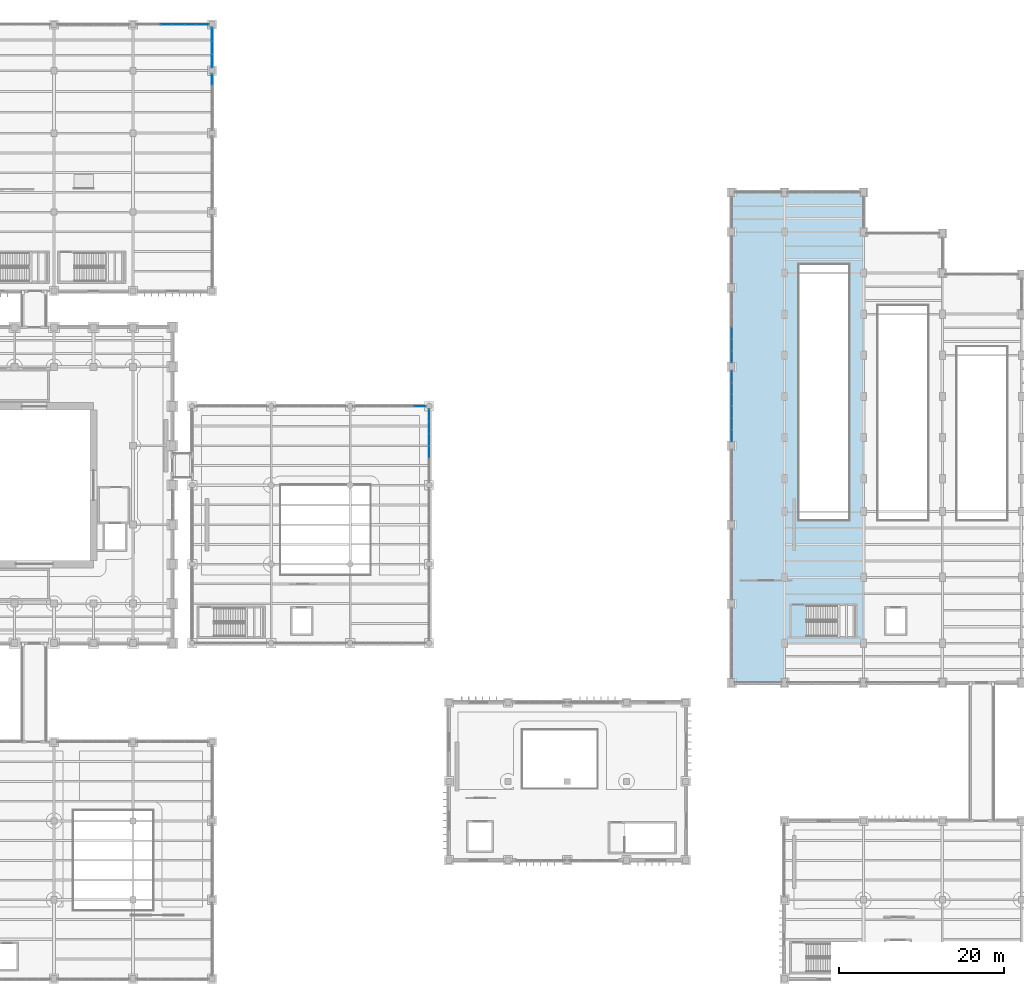
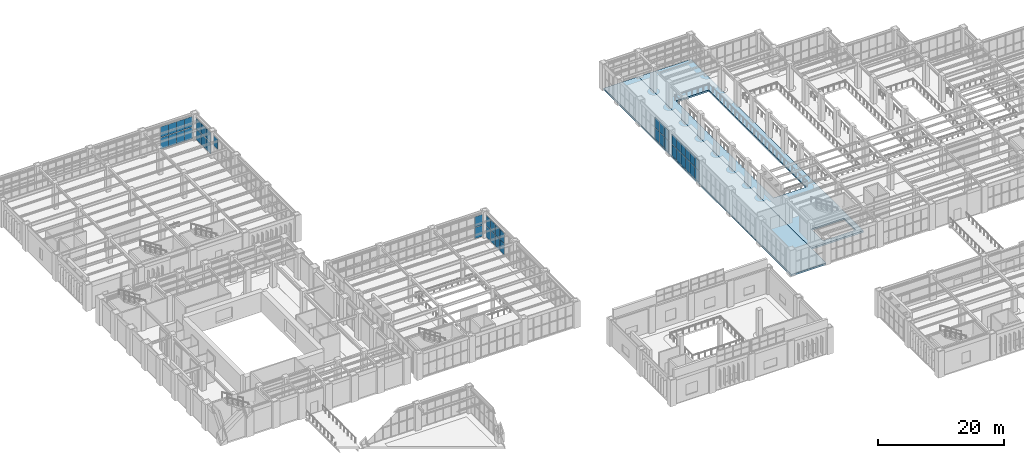
# One storey, part 133 of 174: 43 plates, 2 slabs, 7 elements without a shape of their own.
"""IFC4 building model written with IfcOpenShell, lengths in metres."""

from ifc_helpers import new_model, si_unit, direction, frame, origin, origin_2d, place, context, subcontext, project, spatial, polyline, rectangle, outline, extrude, material, layer, layer_set, type_object, element, aggregate, save


model = new_model("IFC4")

# Units and contexts
model_context = context("Model", 3, precision=1e-05, world=origin(), true_north=direction((0.0, 1.0)))
body_context = subcontext(model_context, "Body", "Model", "MODEL_VIEW")
ifc_project = project(units=[si_unit("LENGTHUNIT", "METRE"), si_unit("AREAUNIT", "SQUARE_METRE"), si_unit("VOLUMEUNIT", "CUBIC_METRE"), si_unit("PLANEANGLEUNIT", "RADIAN"), si_unit("MASSUNIT", "GRAM", prefix="KILO")], contexts=[model_context])

# Site, building, storey
site_placement = place(None, origin())
site = spatial("IfcSite", under=ifc_project, at=site_placement, CompositionType="ELEMENT")
building_placement = place(site_placement, origin())
building = spatial("IfcBuilding", under=site, at=building_placement, Name="Mavantir Sound Aquarium", CompositionType="ELEMENT")
storey_placement = place(building_placement, frame((0.0, 0.0, 5.39990234375)))
storey = spatial("IfcBuildingStorey", under=building, at=storey_placement, Name="L01", CompositionType="ELEMENT", Elevation=5.39990234375)

# Curtain wall, plates
ifc_material_1 = material(Name="Anodised Marine Aluminium and Low-E Glass", Category="aluminium")
curtain_wall_type_1 = type_object("IfcCurtainWallType", Name="CW-T09", PredefinedType="USERDEFINED", material=ifc_material_1)
curtain_wall_1_placement = place(storey_placement, origin())
curtain_wall_1 = element("IfcCurtainWall", 1, at=curtain_wall_1_placement, inside=storey, type_object=curtain_wall_type_1, Name="L01 unitised curtain wall CW-09 57", ObjectType="UNITISED GLAZING", PredefinedType="USERDEFINED")
ifc_material_2 = material(Name="Solar-Control Laminated Low-E Glass", Category="glass")
ifc_layer_1 = layer(ifc_material_2, 0.028076171875, Name="Solar-Control Laminated Low-E Glass")
ifc_layer_set_1 = layer_set([ifc_layer_1], Name="Solar-Control Laminated Low-E Glass")
plate_type_1 = type_object("IfcPlateType", Name="CW-PNL-28", PredefinedType="CURTAIN_PANEL", material=ifc_layer_set_1)
plate_1_placement = place(storey_placement, frame((64.800048828125, 64.063720703125, 0.10302734375), z_axis=(0.0, 0.0, 1.0), x_axis=(0.0, 1.0, 0.0)))
plate_1 = element("IfcPlate", 2, at=plate_1_placement, type_object=plate_type_1, Name="CW-L01-057 glazed curtain panel 3.1", PredefinedType="CURTAIN_PANEL", context=body_context, shape_type="SweptSolid", body=[
    extrude(rectangle(XDim=1.42431640625, YDim=0.028076171875, at=origin_2d()), origin(), (0.0, 0.0, 1.0), 2.13330078125),
])
plate_2_placement = place(storey_placement, frame((64.800048828125, 64.063720703125, 2.33251953125), z_axis=(0.0, 0.0, 1.0), x_axis=(0.0, 1.0, 0.0)))
plate_2 = element("IfcPlate", 3, at=plate_2_placement, type_object=plate_type_1, Name="CW-L01-057 glazed curtain panel 3.2", PredefinedType="CURTAIN_PANEL", context=body_context, shape_type="SweptSolid", body=[
    extrude(rectangle(XDim=1.42431640625, YDim=0.028076171875, at=origin_2d()), origin(), (0.0, 0.0, 1.0), 1.95751953125),
])
plate_3_placement = place(storey_placement, frame((64.800048828125, 65.5361328125, 0.10302734375), z_axis=(0.0, 0.0, 1.0), x_axis=(0.0, 1.0, 0.0)))
plate_3 = element("IfcPlate", 4, at=plate_3_placement, type_object=plate_type_1, Name="CW-L01-057 glazed curtain panel 4.1", PredefinedType="CURTAIN_PANEL", context=body_context, shape_type="SweptSolid", body=[
    extrude(rectangle(XDim=1.42431640625, YDim=0.028076171875, at=origin_2d()), origin(), (0.0, 0.0, 1.0), 2.13330078125),
])
plate_4_placement = place(storey_placement, frame((64.800048828125, 65.5361328125, 2.33251953125), z_axis=(0.0, 0.0, 1.0), x_axis=(0.0, 1.0, 0.0)))
plate_4 = element("IfcPlate", 5, at=plate_4_placement, type_object=plate_type_1, Name="CW-L01-057 glazed curtain panel 4.2", PredefinedType="CURTAIN_PANEL", context=body_context, shape_type="SweptSolid", body=[
    extrude(rectangle(XDim=1.42431640625, YDim=0.028076171875, at=origin_2d()), origin(), (0.0, 0.0, 1.0), 1.95751953125),
])
plate_5_placement = place(storey_placement, frame((64.800048828125, 67.008544921875, 0.10302734375), z_axis=(0.0, 0.0, 1.0), x_axis=(0.0, 1.0, 0.0)))
plate_5 = element("IfcPlate", 6, at=plate_5_placement, type_object=plate_type_1, Name="CW-L01-057 glazed curtain panel 5.1", PredefinedType="CURTAIN_PANEL", context=body_context, shape_type="SweptSolid", body=[
    extrude(rectangle(XDim=1.42431640625, YDim=0.028076171875, at=origin_2d()), origin(), (0.0, 0.0, 1.0), 2.13330078125),
])
plate_6_placement = place(storey_placement, frame((64.800048828125, 67.008544921875, 2.33251953125), z_axis=(0.0, 0.0, 1.0), x_axis=(0.0, 1.0, 0.0)))
plate_6 = element("IfcPlate", 7, at=plate_6_placement, type_object=plate_type_1, Name="CW-L01-057 glazed curtain panel 5.2", PredefinedType="CURTAIN_PANEL", context=body_context, shape_type="SweptSolid", body=[
    extrude(rectangle(XDim=1.42431640625, YDim=0.028076171875, at=origin_2d()), origin(), (0.0, 0.0, 1.0), 1.95751953125),
])
plate_7_placement = place(storey_placement, frame((64.800048828125, 68.480712890625, 0.10302734375), z_axis=(0.0, 0.0, 1.0), x_axis=(0.0, 1.0, 0.0)))
plate_7 = element("IfcPlate", 8, at=plate_7_placement, type_object=plate_type_1, Name="CW-L01-057 glazed curtain panel 6.1", PredefinedType="CURTAIN_PANEL", context=body_context, shape_type="SweptSolid", body=[
    extrude(rectangle(XDim=1.42431640625, YDim=0.028076171875, at=origin_2d()), origin(), (0.0, 0.0, 1.0), 2.13330078125),
])
plate_8_placement = place(storey_placement, frame((64.800048828125, 68.480712890625, 2.33251953125), z_axis=(0.0, 0.0, 1.0), x_axis=(0.0, 1.0, 0.0)))
plate_8 = element("IfcPlate", 9, at=plate_8_placement, type_object=plate_type_1, Name="CW-L01-057 glazed curtain panel 6.2", PredefinedType="CURTAIN_PANEL", context=body_context, shape_type="SweptSolid", body=[
    extrude(rectangle(XDim=1.42431640625, YDim=0.028076171875, at=origin_2d()), origin(), (0.0, 0.0, 1.0), 1.95751953125),
])
aggregate(curtain_wall_1, [plate_1, plate_2, plate_3, plate_4, plate_5, plate_6, plate_7, plate_8])

curtain_wall_type_2 = type_object("IfcCurtainWallType", Name="CW-T21", PredefinedType="USERDEFINED", material=ifc_material_1)
curtain_wall_2_placement = place(storey_placement, origin())
curtain_wall_2 = element("IfcCurtainWall", 10, at=curtain_wall_2_placement, inside=storey, type_object=curtain_wall_type_2, Name="L01 unitised curtain wall CW-21 93", ObjectType="UNITISED GLAZING", PredefinedType="USERDEFINED")
plate_9_placement = place(storey_placement, frame((101.60009765625, 73.1767578125, 0.10302734375), z_axis=(0.0, 0.0, 1.0), x_axis=(0.0, -1.0, 0.0)))
plate_9 = element("IfcPlate", 11, at=plate_9_placement, type_object=plate_type_1, Name="CW-L01-093 glazed curtain panel 1.1", PredefinedType="CURTAIN_PANEL", context=body_context, shape_type="SweptSolid", body=[
    extrude(rectangle(XDim=1.3828125, YDim=0.028076171875, at=origin_2d()), origin(), (0.0, 0.0, 1.0), 2.160888671875),
])
plate_10_placement = place(storey_placement, frame((101.60009765625, 73.1767578125, 2.35986328125), z_axis=(0.0, 0.0, 1.0), x_axis=(0.0, -1.0, 0.0)))
plate_10 = element("IfcPlate", 12, at=plate_10_placement, type_object=plate_type_1, Name="CW-L01-093 glazed curtain panel 1.2", PredefinedType="CURTAIN_PANEL", context=body_context, shape_type="SweptSolid", body=[
    extrude(rectangle(XDim=1.3828125, YDim=0.028076171875, at=origin_2d()), origin(), (0.0, 0.0, 1.0), 1.983154296875),
])
plate_11_placement = place(storey_placement, frame((101.60009765625, 71.74609375, 0.10302734375), z_axis=(0.0, 0.0, 1.0), x_axis=(0.0, -1.0, 0.0)))
plate_11 = element("IfcPlate", 13, at=plate_11_placement, type_object=plate_type_1, Name="CW-L01-093 glazed curtain panel 2.1", PredefinedType="CURTAIN_PANEL", context=body_context, shape_type="SweptSolid", body=[
    extrude(rectangle(XDim=1.3828125, YDim=0.028076171875, at=origin_2d()), origin(), (0.0, 0.0, 1.0), 2.160888671875),
])
plate_12_placement = place(storey_placement, frame((101.60009765625, 71.74609375, 2.35986328125), z_axis=(0.0, 0.0, 1.0), x_axis=(0.0, -1.0, 0.0)))
plate_12 = element("IfcPlate", 14, at=plate_12_placement, type_object=plate_type_1, Name="CW-L01-093 glazed curtain panel 2.2", PredefinedType="CURTAIN_PANEL", context=body_context, shape_type="SweptSolid", body=[
    extrude(rectangle(XDim=1.3828125, YDim=0.028076171875, at=origin_2d()), origin(), (0.0, 0.0, 1.0), 1.983154296875),
])
plate_13_placement = place(storey_placement, frame((101.60009765625, 70.315185546875, 0.10302734375), z_axis=(0.0, 0.0, 1.0), x_axis=(0.0, -1.0, 0.0)))
plate_13 = element("IfcPlate", 15, at=plate_13_placement, type_object=plate_type_1, Name="CW-L01-093 glazed curtain panel 3.1", PredefinedType="CURTAIN_PANEL", context=body_context, shape_type="SweptSolid", body=[
    extrude(rectangle(XDim=1.3828125, YDim=0.028076171875, at=origin_2d()), origin(), (0.0, 0.0, 1.0), 2.160888671875),
])
plate_14_placement = place(storey_placement, frame((101.60009765625, 70.315185546875, 2.35986328125), z_axis=(0.0, 0.0, 1.0), x_axis=(0.0, -1.0, 0.0)))
plate_14 = element("IfcPlate", 16, at=plate_14_placement, type_object=plate_type_1, Name="CW-L01-093 glazed curtain panel 3.2", PredefinedType="CURTAIN_PANEL", context=body_context, shape_type="SweptSolid", body=[
    extrude(rectangle(XDim=1.3828125, YDim=0.028076171875, at=origin_2d()), origin(), (0.0, 0.0, 1.0), 1.983154296875),
])
plate_15_placement = place(storey_placement, frame((101.60009765625, 68.884765625, 0.10302734375), z_axis=(0.0, 0.0, 1.0), x_axis=(0.0, -1.0, 0.0)))
plate_15 = element("IfcPlate", 17, at=plate_15_placement, type_object=plate_type_1, Name="CW-L01-093 glazed curtain panel 4.1", PredefinedType="CURTAIN_PANEL", context=body_context, shape_type="SweptSolid", body=[
    extrude(rectangle(XDim=1.3828125, YDim=0.028076171875, at=origin_2d()), origin(), (0.0, 0.0, 1.0), 2.160888671875),
])
plate_16_placement = place(storey_placement, frame((101.60009765625, 68.884765625, 2.35986328125), z_axis=(0.0, 0.0, 1.0), x_axis=(0.0, -1.0, 0.0)))
plate_16 = element("IfcPlate", 18, at=plate_16_placement, type_object=plate_type_1, Name="CW-L01-093 glazed curtain panel 4.2", PredefinedType="CURTAIN_PANEL", context=body_context, shape_type="SweptSolid", body=[
    extrude(rectangle(XDim=1.3828125, YDim=0.028076171875, at=origin_2d()), origin(), (0.0, 0.0, 1.0), 1.983154296875),
])
plate_17_placement = place(storey_placement, frame((101.60009765625, 67.4541015625, 0.10302734375), z_axis=(0.0, 0.0, 1.0), x_axis=(0.0, -1.0, 0.0)))
plate_17 = element("IfcPlate", 19, at=plate_17_placement, type_object=plate_type_1, Name="CW-L01-093 glazed curtain panel 5.1", PredefinedType="CURTAIN_PANEL", context=body_context, shape_type="SweptSolid", body=[
    extrude(rectangle(XDim=1.3828125, YDim=0.028076171875, at=origin_2d()), origin(), (0.0, 0.0, 1.0), 2.160888671875),
])
plate_18_placement = place(storey_placement, frame((101.60009765625, 67.4541015625, 2.35986328125), z_axis=(0.0, 0.0, 1.0), x_axis=(0.0, -1.0, 0.0)))
plate_18 = element("IfcPlate", 20, at=plate_18_placement, type_object=plate_type_1, Name="CW-L01-093 glazed curtain panel 5.2", PredefinedType="CURTAIN_PANEL", context=body_context, shape_type="SweptSolid", body=[
    extrude(rectangle(XDim=1.3828125, YDim=0.028076171875, at=origin_2d()), origin(), (0.0, 0.0, 1.0), 1.983154296875),
])
plate_19_placement = place(storey_placement, frame((101.60009765625, 66.023193359375, 0.10302734375), z_axis=(0.0, 0.0, 1.0), x_axis=(0.0, -1.0, 0.0)))
plate_19 = element("IfcPlate", 21, at=plate_19_placement, type_object=plate_type_1, Name="CW-L01-093 glazed curtain panel 6.1", PredefinedType="CURTAIN_PANEL", context=body_context, shape_type="SweptSolid", body=[
    extrude(rectangle(XDim=1.3828125, YDim=0.028076171875, at=origin_2d()), origin(), (0.0, 0.0, 1.0), 2.160888671875),
])
plate_20_placement = place(storey_placement, frame((101.60009765625, 66.023193359375, 2.35986328125), z_axis=(0.0, 0.0, 1.0), x_axis=(0.0, -1.0, 0.0)))
plate_20 = element("IfcPlate", 22, at=plate_20_placement, type_object=plate_type_1, Name="CW-L01-093 glazed curtain panel 6.2", PredefinedType="CURTAIN_PANEL", context=body_context, shape_type="SweptSolid", body=[
    extrude(rectangle(XDim=1.3828125, YDim=0.028076171875, at=origin_2d()), origin(), (0.0, 0.0, 1.0), 1.983154296875),
])
aggregate(curtain_wall_2, [plate_9, plate_10, plate_11, plate_12, plate_13, plate_14, plate_15, plate_16, plate_17, plate_18, plate_19, plate_20])

# Curtain wall, plate
curtain_wall_type_3 = type_object("IfcCurtainWallType", Name="CW-T19", PredefinedType="USERDEFINED", material=ifc_material_1)
curtain_wall_3_placement = place(storey_placement, origin())
curtain_wall_3 = element("IfcCurtainWall", 23, at=curtain_wall_3_placement, inside=storey, type_object=curtain_wall_type_3, Name="L01 unitised curtain wall CW-19 115", ObjectType="UNITISED GLAZING", PredefinedType="USERDEFINED")
plate_21_placement = place(storey_placement, frame((38.39990234375, 109.33349609375, 2.29931640625), z_axis=(0.0, 0.0, 1.0), x_axis=(0.0, 1.0, 0.0)))
plate_21 = element("IfcPlate", 24, at=plate_21_placement, type_object=plate_type_1, Name="CW-L01-115 glazed curtain panel 5.2", PredefinedType="CURTAIN_PANEL", context=body_context, shape_type="SweptSolid", body=[
    extrude(rectangle(XDim=1.31884765625, YDim=0.028076171875, at=origin_2d()), origin(), (0.0, 0.0, 1.0), 1.927001953125),
])
aggregate(curtain_wall_3, [plate_21])

# Curtain wall, plates
curtain_wall_4_placement = place(storey_placement, origin())
curtain_wall_4 = element("IfcCurtainWall", 25, at=curtain_wall_4_placement, inside=storey, type_object=curtain_wall_type_2, Name="L01 unitised curtain wall CW-21 117", ObjectType="UNITISED GLAZING", PredefinedType="USERDEFINED")
plate_22_placement = place(storey_placement, frame((37.28076171875, 116.0, 0.10302734375), z_axis=(0.0, 0.0, 1.0), x_axis=(-1.0, 0.0, 0.0)))
plate_22 = element("IfcPlate", 26, at=plate_22_placement, type_object=plate_type_1, Name="CW-L01-117 glazed curtain panel 1.1", PredefinedType="CURTAIN_PANEL", context=body_context, shape_type="SweptSolid", body=[
    extrude(rectangle(XDim=1.42431640625, YDim=0.028076171875, at=origin_2d()), origin(), (0.0, 0.0, 1.0), 2.21142578125),
])
plate_23_placement = place(storey_placement, frame((37.28076171875, 116.0, 2.41064453125), z_axis=(0.0, 0.0, 1.0), x_axis=(-1.0, 0.0, 0.0)))
plate_23 = element("IfcPlate", 27, at=plate_23_placement, type_object=plate_type_1, Name="CW-L01-117 glazed curtain panel 1.2", PredefinedType="CURTAIN_PANEL", context=body_context, shape_type="SweptSolid", body=[
    extrude(rectangle(XDim=1.42431640625, YDim=0.028076171875, at=origin_2d()), origin(), (0.0, 0.0, 1.0), 2.029541015625),
])
plate_24_placement = place(storey_placement, frame((35.80859375, 116.0, 0.10302734375), z_axis=(0.0, 0.0, 1.0), x_axis=(-1.0, 0.0, 0.0)))
plate_24 = element("IfcPlate", 28, at=plate_24_placement, type_object=plate_type_1, Name="CW-L01-117 glazed curtain panel 2.1", PredefinedType="CURTAIN_PANEL", context=body_context, shape_type="SweptSolid", body=[
    extrude(rectangle(XDim=1.42431640625, YDim=0.028076171875, at=origin_2d()), origin(), (0.0, 0.0, 1.0), 2.21142578125),
])
plate_25_placement = place(storey_placement, frame((35.80859375, 116.0, 2.41064453125), z_axis=(0.0, 0.0, 1.0), x_axis=(-1.0, 0.0, 0.0)))
plate_25 = element("IfcPlate", 29, at=plate_25_placement, type_object=plate_type_1, Name="CW-L01-117 glazed curtain panel 2.2", PredefinedType="CURTAIN_PANEL", context=body_context, shape_type="SweptSolid", body=[
    extrude(rectangle(XDim=1.42431640625, YDim=0.028076171875, at=origin_2d()), origin(), (0.0, 0.0, 1.0), 2.029541015625),
])
plate_26_placement = place(storey_placement, frame((34.336181640625, 116.0, 0.10302734375), z_axis=(0.0, 0.0, 1.0), x_axis=(-1.0, 0.0, 0.0)))
plate_26 = element("IfcPlate", 30, at=plate_26_placement, type_object=plate_type_1, Name="CW-L01-117 glazed curtain panel 3.1", PredefinedType="CURTAIN_PANEL", context=body_context, shape_type="SweptSolid", body=[
    extrude(rectangle(XDim=1.42431640625, YDim=0.028076171875, at=origin_2d()), origin(), (0.0, 0.0, 1.0), 2.21142578125),
])
plate_27_placement = place(storey_placement, frame((34.336181640625, 116.0, 2.41064453125), z_axis=(0.0, 0.0, 1.0), x_axis=(-1.0, 0.0, 0.0)))
plate_27 = element("IfcPlate", 31, at=plate_27_placement, type_object=plate_type_1, Name="CW-L01-117 glazed curtain panel 3.2", PredefinedType="CURTAIN_PANEL", context=body_context, shape_type="SweptSolid", body=[
    extrude(rectangle(XDim=1.42431640625, YDim=0.028076171875, at=origin_2d()), origin(), (0.0, 0.0, 1.0), 2.029541015625),
])
plate_28_placement = place(storey_placement, frame((32.86376953125, 116.0, 0.10302734375), z_axis=(0.0, 0.0, 1.0), x_axis=(-1.0, 0.0, 0.0)))
plate_28 = element("IfcPlate", 32, at=plate_28_placement, type_object=plate_type_1, Name="CW-L01-117 glazed curtain panel 4.1", PredefinedType="CURTAIN_PANEL", context=body_context, shape_type="SweptSolid", body=[
    extrude(rectangle(XDim=1.42431640625, YDim=0.028076171875, at=origin_2d()), origin(), (0.0, 0.0, 1.0), 2.21142578125),
])
plate_29_placement = place(storey_placement, frame((32.86376953125, 116.0, 2.41064453125), z_axis=(0.0, 0.0, 1.0), x_axis=(-1.0, 0.0, 0.0)))
plate_29 = element("IfcPlate", 33, at=plate_29_placement, type_object=plate_type_1, Name="CW-L01-117 glazed curtain panel 4.2", PredefinedType="CURTAIN_PANEL", context=body_context, shape_type="SweptSolid", body=[
    extrude(rectangle(XDim=1.42431640625, YDim=0.028076171875, at=origin_2d()), origin(), (0.0, 0.0, 1.0), 2.029541015625),
])
aggregate(curtain_wall_4, [plate_22, plate_23, plate_24, plate_25, plate_26, plate_27, plate_28, plate_29])

curtain_wall_type_4 = type_object("IfcCurtainWallType", Name="CW-T10", PredefinedType="USERDEFINED", material=ifc_material_1)
curtain_wall_5_placement = place(storey_placement, origin())
curtain_wall_5 = element("IfcCurtainWall", 34, at=curtain_wall_5_placement, inside=storey, type_object=curtain_wall_type_4, Name="L01 unitised curtain wall CW-10 58", ObjectType="UNITISED GLAZING", PredefinedType="USERDEFINED")
ifc_layer_2 = layer(ifc_material_2, 0.031982421875, Name="Solar-Control Laminated Low-E Glass")
ifc_layer_set_2 = layer_set([ifc_layer_2], Name="Solar-Control Laminated Low-E Glass")
plate_type_2 = type_object("IfcPlateType", Name="CW-PNL-32", PredefinedType="CURTAIN_PANEL", material=ifc_layer_set_2)
plate_30_placement = place(storey_placement, frame((63.680908203125, 69.60009765625, 0.10302734375), z_axis=(0.0, 0.0, 1.0), x_axis=(-1.0, 0.0, 0.0)))
plate_30 = element("IfcPlate", 35, at=plate_30_placement, type_object=plate_type_2, Name="CW-L01-058 glazed curtain panel 1.1", PredefinedType="CURTAIN_PANEL", context=body_context, shape_type="SweptSolid", body=[
    extrude(rectangle(XDim=1.42431640625, YDim=0.031982421875, at=origin_2d()), origin(), (0.0, 0.0, 1.0), 2.15673828125),
])
plate_31_placement = place(storey_placement, frame((63.680908203125, 69.60009765625, 2.35595703125), z_axis=(0.0, 0.0, 1.0), x_axis=(-1.0, 0.0, 0.0)))
plate_31 = element("IfcPlate", 36, at=plate_31_placement, type_object=plate_type_2, Name="CW-L01-058 glazed curtain panel 1.2", PredefinedType="CURTAIN_PANEL", context=body_context, shape_type="SweptSolid", body=[
    extrude(rectangle(XDim=1.42431640625, YDim=0.031982421875, at=origin_2d()), origin(), (0.0, 0.0, 1.0), 1.979248046875),
])
aggregate(curtain_wall_5, [plate_30, plate_31])

curtain_wall_type_5 = type_object("IfcCurtainWallType", Name="CW-T20", PredefinedType="USERDEFINED", material=ifc_material_1)
curtain_wall_6_placement = place(storey_placement, origin())
curtain_wall_6 = element("IfcCurtainWall", 37, at=curtain_wall_6_placement, inside=storey, type_object=curtain_wall_type_5, Name="L01 unitised curtain wall CW-20 92", ObjectType="UNITISED GLAZING", PredefinedType="USERDEFINED")
plate_32_placement = place(storey_placement, frame((101.60009765625, 78.484619140625, 0.10302734375), z_axis=(0.0, 0.0, 1.0), x_axis=(0.0, -1.0, 0.0)))
plate_32 = element("IfcPlate", 38, at=plate_32_placement, type_object=plate_type_2, Name="CW-L01-092 glazed curtain panel 4.1", PredefinedType="CURTAIN_PANEL", context=body_context, shape_type="SweptSolid", body=[
    extrude(rectangle(XDim=1.3828125, YDim=0.031982421875, at=origin_2d()), origin(), (0.0, 0.0, 1.0), 2.160888671875),
])
plate_33_placement = place(storey_placement, frame((101.60009765625, 78.484619140625, 2.35986328125), z_axis=(0.0, 0.0, 1.0), x_axis=(0.0, -1.0, 0.0)))
plate_33 = element("IfcPlate", 39, at=plate_33_placement, type_object=plate_type_2, Name="CW-L01-092 glazed curtain panel 4.2", PredefinedType="CURTAIN_PANEL", context=body_context, shape_type="SweptSolid", body=[
    extrude(rectangle(XDim=1.3828125, YDim=0.031982421875, at=origin_2d()), origin(), (0.0, 0.0, 1.0), 1.983154296875),
])
plate_34_placement = place(storey_placement, frame((101.60009765625, 77.053955078125, 0.10302734375), z_axis=(0.0, 0.0, 1.0), x_axis=(0.0, -1.0, 0.0)))
plate_34 = element("IfcPlate", 40, at=plate_34_placement, type_object=plate_type_2, Name="CW-L01-092 glazed curtain panel 5.1", PredefinedType="CURTAIN_PANEL", context=body_context, shape_type="SweptSolid", body=[
    extrude(rectangle(XDim=1.3828125, YDim=0.031982421875, at=origin_2d()), origin(), (0.0, 0.0, 1.0), 2.160888671875),
])
plate_35_placement = place(storey_placement, frame((101.60009765625, 77.053955078125, 2.35986328125), z_axis=(0.0, 0.0, 1.0), x_axis=(0.0, -1.0, 0.0)))
plate_35 = element("IfcPlate", 41, at=plate_35_placement, type_object=plate_type_2, Name="CW-L01-092 glazed curtain panel 5.2", PredefinedType="CURTAIN_PANEL", context=body_context, shape_type="SweptSolid", body=[
    extrude(rectangle(XDim=1.3828125, YDim=0.031982421875, at=origin_2d()), origin(), (0.0, 0.0, 1.0), 1.983154296875),
])
plate_36_placement = place(storey_placement, frame((101.60009765625, 75.623291015625, 0.10302734375), z_axis=(0.0, 0.0, 1.0), x_axis=(0.0, -1.0, 0.0)))
plate_36 = element("IfcPlate", 42, at=plate_36_placement, type_object=plate_type_2, Name="CW-L01-092 glazed curtain panel 6.1", PredefinedType="CURTAIN_PANEL", context=body_context, shape_type="SweptSolid", body=[
    extrude(rectangle(XDim=1.3828125, YDim=0.031982421875, at=origin_2d()), origin(), (0.0, 0.0, 1.0), 2.160888671875),
])
plate_37_placement = place(storey_placement, frame((101.60009765625, 75.623291015625, 2.35986328125), z_axis=(0.0, 0.0, 1.0), x_axis=(0.0, -1.0, 0.0)))
plate_37 = element("IfcPlate", 43, at=plate_37_placement, type_object=plate_type_2, Name="CW-L01-092 glazed curtain panel 6.2", PredefinedType="CURTAIN_PANEL", context=body_context, shape_type="SweptSolid", body=[
    extrude(rectangle(XDim=1.3828125, YDim=0.031982421875, at=origin_2d()), origin(), (0.0, 0.0, 1.0), 1.983154296875),
])
aggregate(curtain_wall_6, [plate_32, plate_33, plate_34, plate_35, plate_36, plate_37])

curtain_wall_7_placement = place(storey_placement, origin())
curtain_wall_7 = element("IfcCurtainWall", 44, at=curtain_wall_7_placement, inside=storey, type_object=curtain_wall_type_5, Name="L01 unitised curtain wall CW-20 116", ObjectType="UNITISED GLAZING", PredefinedType="USERDEFINED")
plate_38_placement = place(storey_placement, frame((38.39990234375, 111.588623046875, 0.10302734375), z_axis=(0.0, 0.0, 1.0), x_axis=(0.0, 1.0, 0.0)))
plate_38 = element("IfcPlate", 45, at=plate_38_placement, type_object=plate_type_2, Name="CW-L01-116 glazed curtain panel 1.1", PredefinedType="CURTAIN_PANEL", context=body_context, shape_type="SweptSolid", body=[
    extrude(rectangle(XDim=1.563232421875, YDim=0.031982421875, at=origin_2d()), origin(), (0.0, 0.0, 1.0), 2.10009765625),
])
plate_39_placement = place(storey_placement, frame((38.39990234375, 111.588623046875, 2.29931640625), z_axis=(0.0, 0.0, 1.0), x_axis=(0.0, 1.0, 0.0)))
plate_39 = element("IfcPlate", 46, at=plate_39_placement, type_object=plate_type_2, Name="CW-L01-116 glazed curtain panel 1.2", PredefinedType="CURTAIN_PANEL", context=body_context, shape_type="SweptSolid", body=[
    extrude(rectangle(XDim=1.563232421875, YDim=0.031982421875, at=origin_2d()), origin(), (0.0, 0.0, 1.0), 1.927001953125),
])
plate_40_placement = place(storey_placement, frame((38.39990234375, 113.199951171875, 0.10302734375), z_axis=(0.0, 0.0, 1.0), x_axis=(0.0, 1.0, 0.0)))
plate_40 = element("IfcPlate", 47, at=plate_40_placement, type_object=plate_type_2, Name="CW-L01-116 glazed curtain panel 2.1", PredefinedType="CURTAIN_PANEL", context=body_context, shape_type="SweptSolid", body=[
    extrude(rectangle(XDim=1.563232421875, YDim=0.031982421875, at=origin_2d()), origin(), (0.0, 0.0, 1.0), 2.10009765625),
])
plate_41_placement = place(storey_placement, frame((38.39990234375, 113.199951171875, 2.29931640625), z_axis=(0.0, 0.0, 1.0), x_axis=(0.0, 1.0, 0.0)))
plate_41 = element("IfcPlate", 48, at=plate_41_placement, type_object=plate_type_2, Name="CW-L01-116 glazed curtain panel 2.2", PredefinedType="CURTAIN_PANEL", context=body_context, shape_type="SweptSolid", body=[
    extrude(rectangle(XDim=1.563232421875, YDim=0.031982421875, at=origin_2d()), origin(), (0.0, 0.0, 1.0), 1.927001953125),
])
plate_42_placement = place(storey_placement, frame((38.39990234375, 114.811279296875, 0.10302734375), z_axis=(0.0, 0.0, 1.0), x_axis=(0.0, 1.0, 0.0)))
plate_42 = element("IfcPlate", 49, at=plate_42_placement, type_object=plate_type_2, Name="CW-L01-116 glazed curtain panel 3.1", PredefinedType="CURTAIN_PANEL", context=body_context, shape_type="SweptSolid", body=[
    extrude(rectangle(XDim=1.563232421875, YDim=0.031982421875, at=origin_2d()), origin(), (0.0, 0.0, 1.0), 2.10009765625),
])
plate_43_placement = place(storey_placement, frame((38.39990234375, 114.811279296875, 2.29931640625), z_axis=(0.0, 0.0, 1.0), x_axis=(0.0, 1.0, 0.0)))
plate_43 = element("IfcPlate", 50, at=plate_43_placement, type_object=plate_type_2, Name="CW-L01-116 glazed curtain panel 3.2", PredefinedType="CURTAIN_PANEL", context=body_context, shape_type="SweptSolid", body=[
    extrude(rectangle(XDim=1.563232421875, YDim=0.031982421875, at=origin_2d()), origin(), (0.0, 0.0, 1.0), 1.927001953125),
])
aggregate(curtain_wall_7, [plate_38, plate_39, plate_40, plate_41, plate_42, plate_43])

# Slabs
ifc_material_3 = material(Name="Concrete C40/50", Category="concrete")
ifc_layer_3 = layer(ifc_material_3, 0.330078125, Name="Concrete C40/50")
ifc_layer_set_3 = layer_set([ifc_layer_3], Name="Concrete C40/50")
slab_type = type_object("IfcSlabType", Name="SLB-FS-05", PredefinedType="FLOOR", material=ifc_layer_set_3)
slab_1_placement = place(storey_placement, frame((0.0, 0.0, -0.329833984375)))
element("IfcSlab", 51, at=slab_1_placement, inside=storey, type_object=slab_type, Name="L01 structural slab FS-05 (V4)", PredefinedType="FLOOR", context=body_context, shape_type="SweptSolid", body=[
    extrude(outline(polyline([(108.0, 36.0), (108.0, 95.60009765625), (101.60009765625, 95.60009765625), (101.60009765625, 36.0), (108.0, 36.0)])), origin(), (0.0, 0.0, 1.0), 0.329833984375),
])
slab_2_placement = place(storey_placement, frame((0.0, 0.0, -0.329833984375)))
element("IfcSlab", 52, at=slab_2_placement, inside=storey, type_object=slab_type, Name="L01 structural slab FS-05 (V4)", PredefinedType="FLOOR", context=body_context, shape_type="SweptSolid", body=[
    extrude(outline(polyline([(117.60009765625, 40.800048828125), (117.60009765625, 95.60009765625), (108.0, 95.60009765625), (108.0, 40.800048828125), (117.60009765625, 40.800048828125)]), holes=[polyline([(109.800048828125, 55.800048828125), (115.800048828125, 55.800048828125), (115.800048828125, 86.800048828125), (109.800048828125, 86.800048828125), (109.800048828125, 55.800048828125)]), polyline([(110.64990234375, 41.60009765625), (116.64990234375, 41.60009765625), (116.64990234375, 45.35009765625), (110.64990234375, 45.35009765625), (110.64990234375, 41.60009765625)])]), origin(), (0.0, 0.0, 1.0), 0.329833984375),
])

save(model, "model.ifc")
